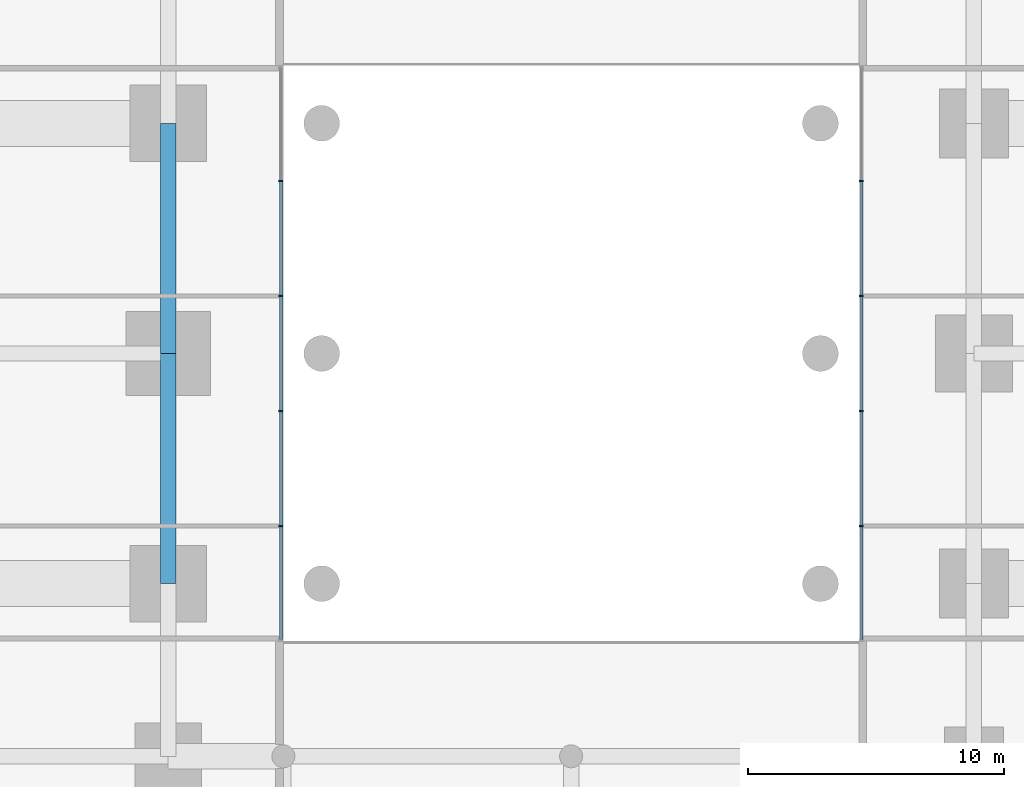
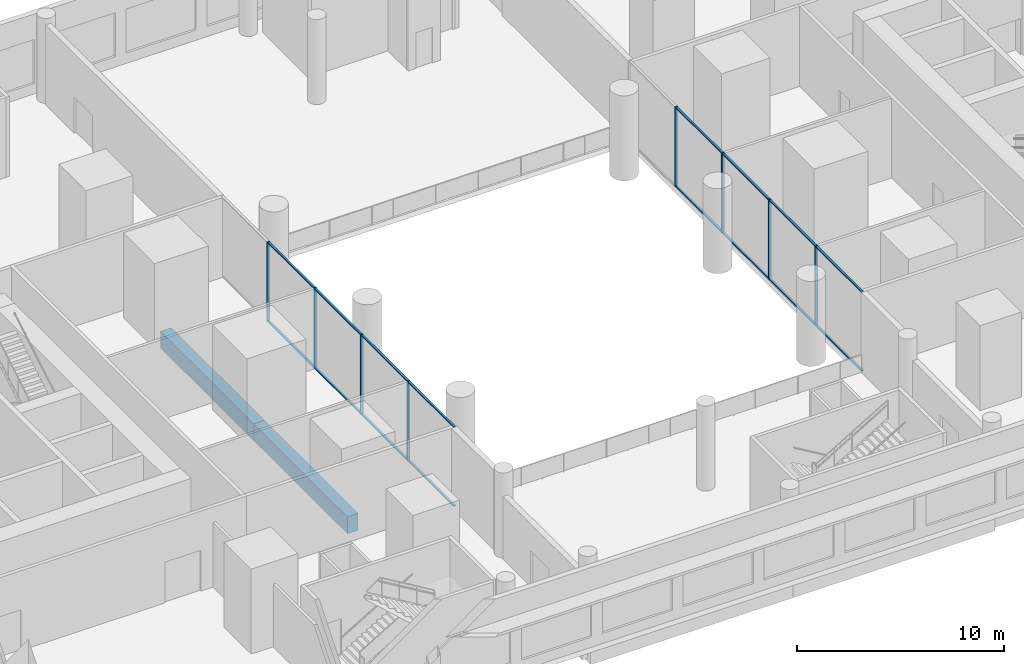
# One storey, part 3 of 21: 24 members, 2 beams, 2 elements without a shape of their own.
"""IFC4 building model written with IfcOpenShell, lengths in metres."""

from ifc_helpers import new_model, si_unit, direction, frame, origin, origin_2d, place, context, subcontext, project, spatial, rectangle, extrude, material, layer, layer_set, material_profile, profile_set, type_object, element, aggregate, save


model = new_model("IFC4")

# Units and contexts
model_context = context("Model", 3, precision=1e-05, world=origin(), true_north=direction((0.0, 1.0)))
body_context = subcontext(model_context, "Body", "Model", "MODEL_VIEW")
ifc_project = project(units=[si_unit("LENGTHUNIT", "METRE"), si_unit("AREAUNIT", "SQUARE_METRE"), si_unit("VOLUMEUNIT", "CUBIC_METRE"), si_unit("PLANEANGLEUNIT", "RADIAN"), si_unit("MASSUNIT", "GRAM", prefix="KILO")], contexts=[model_context])

# Site, building, storey
site_placement = place(None, origin())
site = spatial("IfcSite", under=ifc_project, at=site_placement, CompositionType="ELEMENT")
building_placement = place(site_placement, origin())
building = spatial("IfcBuilding", under=site, at=building_placement, Name="Namib Vertical Campus", CompositionType="ELEMENT")
storey_placement = place(building_placement, frame((0.0, 0.0, 6.0)))
storey = spatial("IfcBuildingStorey", under=building, at=storey_placement, Name="L01", CompositionType="ELEMENT", Elevation=6.0)

# Curtain wall, members
ifc_material_1 = material(Name="Black aluminium curtain wall", Category="aluminium")
ifc_layer = layer(ifc_material_1, 0.199951171875)
ifc_layer_set = layer_set([ifc_layer], Name="Atrium screen curtain wall CW-AT")
curtain_wall_type = type_object("IfcCurtainWallType", Name="Atrium screen curtain wall CW-AT", PredefinedType="USERDEFINED", material=ifc_layer_set)
curtain_wall_1_placement = place(storey_placement, origin())
curtain_wall_1 = element("IfcCurtainWall", 1, at=curtain_wall_1_placement, inside=storey, type_object=curtain_wall_type, Name="Curtain wall CW-AT atrium A L01 1", ObjectType="CURTAIN WALL", PredefinedType="USERDEFINED")
ifc_material_2 = material(Name="Black anodised aluminium", Category="aluminium")
ifc_material_profile_1 = material_profile(ifc_material_2, rectangle(XDim=0.06005859375, YDim=0.159912109375, at=origin_2d()))
ifc_profile_set_1 = profile_set([ifc_material_profile_1], Name="Black anodised aluminium")
member_type_1 = type_object("IfcMemberType", Name="Curtain wall mullion 60x160", PredefinedType="MULLION", material=ifc_profile_set_1)
member_1_placement = place(storey_placement, frame((40.39990234375, 13.5, 0.0), z_axis=(0.0, 0.0, 1.0), x_axis=(0.0, 1.0, 0.0)))
member_1 = element("IfcMember", 2, at=member_1_placement, type_object=member_type_1, Name="CW-AT mullion 2", PredefinedType="MULLION", context=body_context, shape_type="SweptSolid", body=[
    extrude(rectangle(XDim=0.06005859375, YDim=0.159912109375, at=origin_2d()), origin(), (0.0, 0.0, 1.0), 4.699951171875),
])
member_2_placement = place(storey_placement, frame((40.39990234375, 18.0, 0.0), z_axis=(0.0, 0.0, 1.0), x_axis=(0.0, 1.0, 0.0)))
member_2 = element("IfcMember", 3, at=member_2_placement, type_object=member_type_1, Name="CW-AT mullion 3", PredefinedType="MULLION", context=body_context, shape_type="SweptSolid", body=[
    extrude(rectangle(XDim=0.06005859375, YDim=0.159912109375, at=origin_2d()), origin(), (0.0, 0.0, 1.0), 4.699951171875),
])
member_3_placement = place(storey_placement, frame((40.39990234375, 22.5, 0.0), z_axis=(0.0, 0.0, 1.0), x_axis=(0.0, 1.0, 0.0)))
member_3 = element("IfcMember", 4, at=member_3_placement, type_object=member_type_1, Name="CW-AT mullion 4", PredefinedType="MULLION", context=body_context, shape_type="SweptSolid", body=[
    extrude(rectangle(XDim=0.06005859375, YDim=0.159912109375, at=origin_2d()), origin(), (0.0, 0.0, 1.0), 4.699951171875),
])
member_4_placement = place(storey_placement, frame((40.39990234375, 27.0, 0.0), z_axis=(0.0, 0.0, 1.0), x_axis=(0.0, 1.0, 0.0)))
member_4 = element("IfcMember", 5, at=member_4_placement, type_object=member_type_1, Name="CW-AT mullion 5", PredefinedType="MULLION", context=body_context, shape_type="SweptSolid", body=[
    extrude(rectangle(XDim=0.06005859375, YDim=0.159912109375, at=origin_2d()), origin(), (0.0, 0.0, 1.0), 4.699951171875),
])

curtain_wall_2_placement = place(storey_placement, origin())
curtain_wall_2 = element("IfcCurtainWall", 6, at=curtain_wall_2_placement, inside=storey, type_object=curtain_wall_type, Name="Curtain wall CW-AT atrium B L01 1", ObjectType="CURTAIN WALL", PredefinedType="USERDEFINED")
member_5_placement = place(storey_placement, frame((63.10009765625, 13.5, 0.0), z_axis=(0.0, 0.0, 1.0), x_axis=(0.0, 1.0, 0.0)))
member_5 = element("IfcMember", 7, at=member_5_placement, type_object=member_type_1, Name="CW-AT mullion 2", PredefinedType="MULLION", context=body_context, shape_type="SweptSolid", body=[
    extrude(rectangle(XDim=0.06005859375, YDim=0.159912109375, at=origin_2d()), origin(), (0.0, 0.0, 1.0), 4.699951171875),
])
member_6_placement = place(storey_placement, frame((63.10009765625, 18.0, 0.0), z_axis=(0.0, 0.0, 1.0), x_axis=(0.0, 1.0, 0.0)))
member_6 = element("IfcMember", 8, at=member_6_placement, type_object=member_type_1, Name="CW-AT mullion 3", PredefinedType="MULLION", context=body_context, shape_type="SweptSolid", body=[
    extrude(rectangle(XDim=0.06005859375, YDim=0.159912109375, at=origin_2d()), origin(), (0.0, 0.0, 1.0), 4.699951171875),
])
member_7_placement = place(storey_placement, frame((63.10009765625, 22.5, 0.0), z_axis=(0.0, 0.0, 1.0), x_axis=(0.0, 1.0, 0.0)))
member_7 = element("IfcMember", 9, at=member_7_placement, type_object=member_type_1, Name="CW-AT mullion 4", PredefinedType="MULLION", context=body_context, shape_type="SweptSolid", body=[
    extrude(rectangle(XDim=0.06005859375, YDim=0.159912109375, at=origin_2d()), origin(), (0.0, 0.0, 1.0), 4.699951171875),
])
member_8_placement = place(storey_placement, frame((63.10009765625, 27.0, 0.0), z_axis=(0.0, 0.0, 1.0), x_axis=(0.0, 1.0, 0.0)))
member_8 = element("IfcMember", 10, at=member_8_placement, type_object=member_type_1, Name="CW-AT mullion 5", PredefinedType="MULLION", context=body_context, shape_type="SweptSolid", body=[
    extrude(rectangle(XDim=0.06005859375, YDim=0.159912109375, at=origin_2d()), origin(), (0.0, 0.0, 1.0), 4.699951171875),
])

# Member
ifc_material_3 = material(Name="Black anodised aluminium", Category="aluminium")
ifc_material_profile_2 = material_profile(ifc_material_3, rectangle(XDim=0.06005859375, YDim=0.1201171875, at=origin_2d()))
ifc_profile_set_2 = profile_set([ifc_material_profile_2], Name="Black anodised aluminium")
member_type_2 = type_object("IfcMemberType", Name="Curtain wall transom 60x120", PredefinedType="USERDEFINED", material=ifc_profile_set_2)
member_9_placement = place(storey_placement, frame((40.39990234375, 9.06005859375, 0.030029296875), z_axis=(0.0, 1.0, 0.0), x_axis=(0.0, 0.0, 1.0)))
member_9 = element("IfcMember", 11, at=member_9_placement, type_object=member_type_2, Name="CW-AT transom 1.1", ObjectType="TRANSOM", PredefinedType="USERDEFINED", context=body_context, shape_type="SweptSolid", body=[
    extrude(rectangle(XDim=0.06005859375, YDim=0.1201171875, at=origin_2d()), origin(), (0.0, 0.0, 1.0), 4.409912109375),
])

member_10_placement = place(storey_placement, frame((40.39990234375, 9.06005859375, 4.669921875), z_axis=(0.0, 1.0, 0.0), x_axis=(0.0, 0.0, 1.0)))
member_10 = element("IfcMember", 12, at=member_10_placement, type_object=member_type_2, Name="CW-AT transom 1.2", ObjectType="TRANSOM", PredefinedType="USERDEFINED", context=body_context, shape_type="SweptSolid", body=[
    extrude(rectangle(XDim=0.06005859375, YDim=0.1201171875, at=origin_2d()), origin(), (0.0, 0.0, 1.0), 4.409912109375),
])

member_11_placement = place(storey_placement, frame((40.39990234375, 13.530029296875, 0.030029296875), z_axis=(0.0, 1.0, 0.0), x_axis=(0.0, 0.0, 1.0)))
member_11 = element("IfcMember", 13, at=member_11_placement, type_object=member_type_2, Name="CW-AT transom 2.1", ObjectType="TRANSOM", PredefinedType="USERDEFINED", context=body_context, shape_type="SweptSolid", body=[
    extrude(rectangle(XDim=0.06005859375, YDim=0.1201171875, at=origin_2d()), origin(), (0.0, 0.0, 1.0), 4.43994140625),
])

member_12_placement = place(storey_placement, frame((40.39990234375, 13.530029296875, 4.669921875), z_axis=(0.0, 1.0, 0.0), x_axis=(0.0, 0.0, 1.0)))
member_12 = element("IfcMember", 14, at=member_12_placement, type_object=member_type_2, Name="CW-AT transom 2.2", ObjectType="TRANSOM", PredefinedType="USERDEFINED", context=body_context, shape_type="SweptSolid", body=[
    extrude(rectangle(XDim=0.06005859375, YDim=0.1201171875, at=origin_2d()), origin(), (0.0, 0.0, 1.0), 4.43994140625),
])

member_13_placement = place(storey_placement, frame((40.39990234375, 18.030029296875, 0.030029296875), z_axis=(0.0, 1.0, 0.0), x_axis=(0.0, 0.0, 1.0)))
member_13 = element("IfcMember", 15, at=member_13_placement, type_object=member_type_2, Name="CW-AT transom 3.1", ObjectType="TRANSOM", PredefinedType="USERDEFINED", context=body_context, shape_type="SweptSolid", body=[
    extrude(rectangle(XDim=0.06005859375, YDim=0.1201171875, at=origin_2d()), origin(), (0.0, 0.0, 1.0), 4.43994140625),
])

member_14_placement = place(storey_placement, frame((40.39990234375, 18.030029296875, 4.669921875), z_axis=(0.0, 1.0, 0.0), x_axis=(0.0, 0.0, 1.0)))
member_14 = element("IfcMember", 16, at=member_14_placement, type_object=member_type_2, Name="CW-AT transom 3.2", ObjectType="TRANSOM", PredefinedType="USERDEFINED", context=body_context, shape_type="SweptSolid", body=[
    extrude(rectangle(XDim=0.06005859375, YDim=0.1201171875, at=origin_2d()), origin(), (0.0, 0.0, 1.0), 4.43994140625),
])

member_15_placement = place(storey_placement, frame((40.39990234375, 22.530029296875, 0.030029296875), z_axis=(0.0, 1.0, 0.0), x_axis=(0.0, 0.0, 1.0)))
member_15 = element("IfcMember", 17, at=member_15_placement, type_object=member_type_2, Name="CW-AT transom 4.1", ObjectType="TRANSOM", PredefinedType="USERDEFINED", context=body_context, shape_type="SweptSolid", body=[
    extrude(rectangle(XDim=0.06005859375, YDim=0.1201171875, at=origin_2d()), origin(), (0.0, 0.0, 1.0), 4.43994140625),
])

member_16_placement = place(storey_placement, frame((40.39990234375, 22.530029296875, 4.669921875), z_axis=(0.0, 1.0, 0.0), x_axis=(0.0, 0.0, 1.0)))
member_16 = element("IfcMember", 18, at=member_16_placement, type_object=member_type_2, Name="CW-AT transom 4.2", ObjectType="TRANSOM", PredefinedType="USERDEFINED", context=body_context, shape_type="SweptSolid", body=[
    extrude(rectangle(XDim=0.06005859375, YDim=0.1201171875, at=origin_2d()), origin(), (0.0, 0.0, 1.0), 4.43994140625),
])

aggregate(curtain_wall_1, [member_1, member_2, member_3, member_4, member_9, member_10, member_11, member_12, member_13, member_14, member_15, member_16])

member_17_placement = place(storey_placement, frame((63.10009765625, 9.06005859375, 0.030029296875), z_axis=(0.0, 1.0, 0.0), x_axis=(0.0, 0.0, 1.0)))
member_17 = element("IfcMember", 19, at=member_17_placement, type_object=member_type_2, Name="CW-AT transom 1.1", ObjectType="TRANSOM", PredefinedType="USERDEFINED", context=body_context, shape_type="SweptSolid", body=[
    extrude(rectangle(XDim=0.06005859375, YDim=0.1201171875, at=origin_2d()), origin(), (0.0, 0.0, 1.0), 4.409912109375),
])

member_18_placement = place(storey_placement, frame((63.10009765625, 9.06005859375, 4.669921875), z_axis=(0.0, 1.0, 0.0), x_axis=(0.0, 0.0, 1.0)))
member_18 = element("IfcMember", 20, at=member_18_placement, type_object=member_type_2, Name="CW-AT transom 1.2", ObjectType="TRANSOM", PredefinedType="USERDEFINED", context=body_context, shape_type="SweptSolid", body=[
    extrude(rectangle(XDim=0.06005859375, YDim=0.1201171875, at=origin_2d()), origin(), (0.0, 0.0, 1.0), 4.409912109375),
])

member_19_placement = place(storey_placement, frame((63.10009765625, 13.530029296875, 0.030029296875), z_axis=(0.0, 1.0, 0.0), x_axis=(0.0, 0.0, 1.0)))
member_19 = element("IfcMember", 21, at=member_19_placement, type_object=member_type_2, Name="CW-AT transom 2.1", ObjectType="TRANSOM", PredefinedType="USERDEFINED", context=body_context, shape_type="SweptSolid", body=[
    extrude(rectangle(XDim=0.06005859375, YDim=0.1201171875, at=origin_2d()), origin(), (0.0, 0.0, 1.0), 4.43994140625),
])

member_20_placement = place(storey_placement, frame((63.10009765625, 13.530029296875, 4.669921875), z_axis=(0.0, 1.0, 0.0), x_axis=(0.0, 0.0, 1.0)))
member_20 = element("IfcMember", 22, at=member_20_placement, type_object=member_type_2, Name="CW-AT transom 2.2", ObjectType="TRANSOM", PredefinedType="USERDEFINED", context=body_context, shape_type="SweptSolid", body=[
    extrude(rectangle(XDim=0.06005859375, YDim=0.1201171875, at=origin_2d()), origin(), (0.0, 0.0, 1.0), 4.43994140625),
])

member_21_placement = place(storey_placement, frame((63.10009765625, 18.030029296875, 0.030029296875), z_axis=(0.0, 1.0, 0.0), x_axis=(0.0, 0.0, 1.0)))
member_21 = element("IfcMember", 23, at=member_21_placement, type_object=member_type_2, Name="CW-AT transom 3.1", ObjectType="TRANSOM", PredefinedType="USERDEFINED", context=body_context, shape_type="SweptSolid", body=[
    extrude(rectangle(XDim=0.06005859375, YDim=0.1201171875, at=origin_2d()), origin(), (0.0, 0.0, 1.0), 4.43994140625),
])

member_22_placement = place(storey_placement, frame((63.10009765625, 18.030029296875, 4.669921875), z_axis=(0.0, 1.0, 0.0), x_axis=(0.0, 0.0, 1.0)))
member_22 = element("IfcMember", 24, at=member_22_placement, type_object=member_type_2, Name="CW-AT transom 3.2", ObjectType="TRANSOM", PredefinedType="USERDEFINED", context=body_context, shape_type="SweptSolid", body=[
    extrude(rectangle(XDim=0.06005859375, YDim=0.1201171875, at=origin_2d()), origin(), (0.0, 0.0, 1.0), 4.43994140625),
])

member_23_placement = place(storey_placement, frame((63.10009765625, 22.530029296875, 0.030029296875), z_axis=(0.0, 1.0, 0.0), x_axis=(0.0, 0.0, 1.0)))
member_23 = element("IfcMember", 25, at=member_23_placement, type_object=member_type_2, Name="CW-AT transom 4.1", ObjectType="TRANSOM", PredefinedType="USERDEFINED", context=body_context, shape_type="SweptSolid", body=[
    extrude(rectangle(XDim=0.06005859375, YDim=0.1201171875, at=origin_2d()), origin(), (0.0, 0.0, 1.0), 4.43994140625),
])

member_24_placement = place(storey_placement, frame((63.10009765625, 22.530029296875, 4.669921875), z_axis=(0.0, 1.0, 0.0), x_axis=(0.0, 0.0, 1.0)))
member_24 = element("IfcMember", 26, at=member_24_placement, type_object=member_type_2, Name="CW-AT transom 4.2", ObjectType="TRANSOM", PredefinedType="USERDEFINED", context=body_context, shape_type="SweptSolid", body=[
    extrude(rectangle(XDim=0.06005859375, YDim=0.1201171875, at=origin_2d()), origin(), (0.0, 0.0, 1.0), 4.43994140625),
])

aggregate(curtain_wall_2, [member_5, member_6, member_7, member_8, member_17, member_18, member_19, member_20, member_21, member_22, member_23, member_24])

# Beams
ifc_material_4 = material(Name="Concrete C40/50", Category="concrete")
ifc_material_profile_3 = material_profile(ifc_material_4, rectangle(XDim=0.60009765625, YDim=1.0, at=origin_2d()))
ifc_profile_set_3 = profile_set([ifc_material_profile_3], Name="Concrete C40/50")
beam_type = type_object("IfcBeamType", Name="Podium ring beam RC 600x1000", PredefinedType="BEAM", material=ifc_profile_set_3)
for number, where, z_axis, x_axis, name in (
    (27, (36.0, 11.25, -0.800048828125), (0.0, 1.0, 0.0), (-1.0, 0.0, 0.0), "Beam B6 L01"),
    (28, (36.0, 20.25, -0.800048828125), (0.0, 1.0, 0.0), (-1.0, 0.0, 0.0), "Beam B6 L01"),
):
    element("IfcBeam", number, at=place(storey_placement, frame(where, z_axis=z_axis, x_axis=x_axis)), inside=storey, type_object=beam_type, Name=name, PredefinedType="BEAM", context=body_context, shape_type="SweptSolid", body=[
        extrude(rectangle(XDim=0.60009765625, YDim=1.0, at=origin_2d()), origin(), (0.0, 0.0, 1.0), 9.0),
    ])

save(model, "model.ifc")
